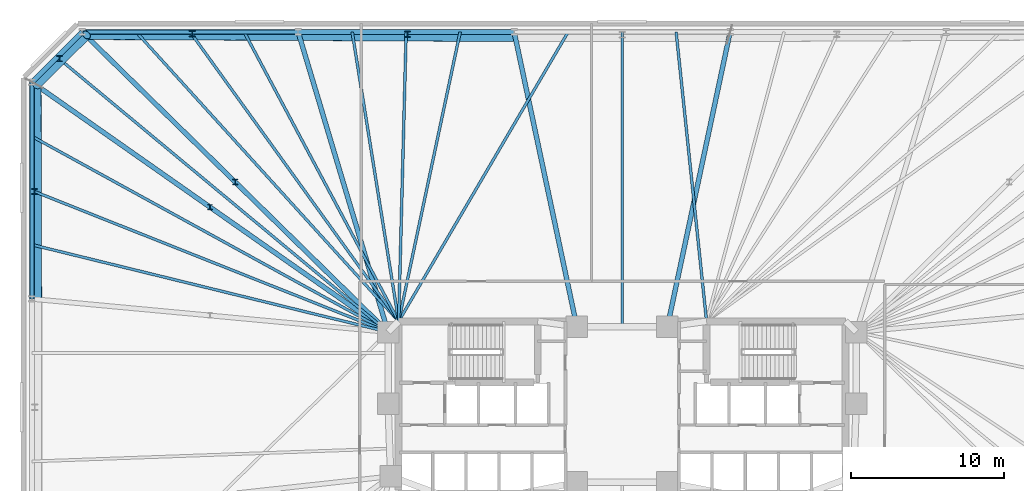
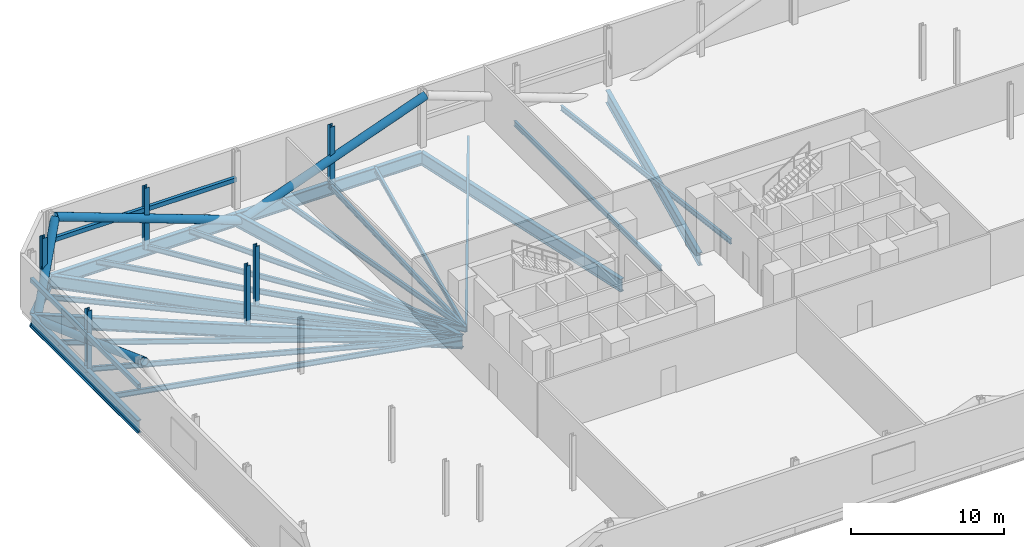
# One storey, part 8 of 17: 22 beams, 12 members.
"""IFC4 building model written with IfcOpenShell, lengths in metres."""

from ifc_helpers import new_model, si_unit, direction, frame, origin, origin_2d, place, context, subcontext, project, spatial, hollow_rectangle, hollow_circle, i_section, extrude, material, material_profile, profile_set, type_object, element, save


model = new_model("IFC4")

# Units and contexts
model_context = context("Model", 3, precision=1e-05, world=origin(), true_north=direction((0.0, 1.0)))
body_context = subcontext(model_context, "Body", "Model", "MODEL_VIEW")
ifc_project = project(units=[si_unit("LENGTHUNIT", "METRE"), si_unit("AREAUNIT", "SQUARE_METRE"), si_unit("VOLUMEUNIT", "CUBIC_METRE"), si_unit("PLANEANGLEUNIT", "RADIAN"), si_unit("MASSUNIT", "GRAM", prefix="KILO")], contexts=[model_context])

# Site, building, storey
site_placement = place(None, origin())
site = spatial("IfcSite", under=ifc_project, at=site_placement, CompositionType="ELEMENT")
building_placement = place(site_placement, origin())
building = spatial("IfcBuilding", under=site, at=building_placement, Name="Menara Jurai Vektor", CompositionType="ELEMENT")
storey_placement = place(building_placement, frame((0.0, 0.0, 9.60009765625)))
storey = spatial("IfcBuildingStorey", under=building, at=storey_placement, Name="L01", CompositionType="ELEMENT", Elevation=9.60009765625)

# Beams
ifc_material_1 = material(Name="Steel S460", Category="steel")
ifc_material_profile_1 = material_profile(ifc_material_1, i_section(OverallWidth=0.30908203125, OverallDepth=1.035888671875, WebThickness=0.030029296875, FlangeThickness=0.053955078125, FilletRadius=0.030029296875, at=origin_2d()), Name="UKB 1016x305x487")
ifc_profile_set_1 = profile_set([ifc_material_profile_1], Name="Steel S460")
beam_type_1 = type_object("IfcBeamType", Name="STR-BM-TR1016", PredefinedType="BEAM", material=ifc_profile_set_1)
beam_1_placement = place(storey_placement, frame((7.03564453125, 24.449951171875, -0.923095703125), z_axis=(-0.2081367579, -0.978099734184, 0.0), x_axis=(0.978099734184, -0.2081367579, 0.0)))
element("IfcBeam", 1, at=beam_1_placement, inside=storey, type_object=beam_type_1, Name="Outrigger Transfer Girder L01-N3", PredefinedType="BEAM", context=body_context, shape_type="SweptSolid", body=[
    extrude(i_section(OverallWidth=0.30908203125, OverallDepth=1.035888671875, WebThickness=0.030029296875, FlangeThickness=0.053955078125, FilletRadius=0.030029296875, at=origin_2d()), origin(), (0.0, 0.0, 1.0), 19.6298828125),
])
beam_2_placement = place(storey_placement, frame((-7.03564453125, 24.449951171875, -0.923095703125), z_axis=(-1.0, 0.0, 0.0), x_axis=(0.0, -1.0, 0.0)))
element("IfcBeam", 2, at=beam_2_placement, inside=storey, type_object=beam_type_1, Name="Belt Truss Bottom Chord L01-14", PredefinedType="BEAM", context=body_context, shape_type="SweptSolid", body=[
    extrude(i_section(OverallWidth=0.30908203125, OverallDepth=1.035888671875, WebThickness=0.030029296875, FlangeThickness=0.053955078125, FilletRadius=0.030029296875, at=origin_2d()), origin(), (0.0, 0.0, 1.0), 14.071044921875),
])
beam_3_placement = place(storey_placement, frame((-7.03564453125, 24.449951171875, -0.923095703125), z_axis=(0.2081367579, -0.978099734184, 0.0), x_axis=(0.978099734184, 0.2081367579, 0.0)))
element("IfcBeam", 3, at=beam_3_placement, inside=storey, type_object=beam_type_1, Name="Outrigger Transfer Girder L01-N4", PredefinedType="BEAM", context=body_context, shape_type="SweptSolid", body=[
    extrude(i_section(OverallWidth=0.30908203125, OverallDepth=1.035888671875, WebThickness=0.030029296875, FlangeThickness=0.053955078125, FilletRadius=0.030029296875, at=origin_2d()), origin(), (0.0, 0.0, 1.0), 19.6298828125),
])
beam_4_placement = place(storey_placement, frame((-21.106689453125, 24.449951171875, -0.923095703125), z_axis=(-1.0, 0.0, 0.0), x_axis=(0.0, -1.0, 0.0)))
element("IfcBeam", 4, at=beam_4_placement, inside=storey, type_object=beam_type_1, Name="Belt Truss Bottom Chord L01-15", PredefinedType="BEAM", context=body_context, shape_type="SweptSolid", body=[
    extrude(i_section(OverallWidth=0.30908203125, OverallDepth=1.035888671875, WebThickness=0.030029296875, FlangeThickness=0.053955078125, FilletRadius=0.030029296875, at=origin_2d()), origin(), (0.0, 0.0, 1.0), 14.071044921875),
])
beam_5_placement = place(storey_placement, frame((-21.106689453125, 24.449951171875, -0.923095703125), z_axis=(0.286973617166, -0.957938486047, 0.0), x_axis=(0.957938486047, 0.286973617166, 0.0)))
element("IfcBeam", 5, at=beam_5_placement, inside=storey, type_object=beam_type_1, Name="Outrigger Transfer Girder L01-N5", PredefinedType="BEAM", context=body_context, shape_type="SweptSolid", body=[
    extrude(i_section(OverallWidth=0.30908203125, OverallDepth=1.035888671875, WebThickness=0.030029296875, FlangeThickness=0.053955078125, FilletRadius=0.030029296875, at=origin_2d()), origin(), (0.0, 0.0, 1.0), 20.408447265625),
])
beam_6_placement = place(storey_placement, frame((-35.177734375, 24.449951171875, -0.923095703125), z_axis=(-0.707106781187, -0.707106781187, 0.0), x_axis=(0.707106781187, -0.707106781187, 0.0)))
element("IfcBeam", 6, at=beam_6_placement, inside=storey, type_object=beam_type_1, Name="Belt Truss Bottom Chord L01-16", PredefinedType="BEAM", context=body_context, shape_type="SweptSolid", body=[
    extrude(i_section(OverallWidth=0.30908203125, OverallDepth=1.035888671875, WebThickness=0.030029296875, FlangeThickness=0.053955078125, FilletRadius=0.030029296875, at=origin_2d()), origin(), (0.0, 0.0, 1.0), 4.627685546875),
])
beam_7_placement = place(storey_placement, frame((-35.177734375, 24.449951171875, -0.923095703125), z_axis=(0.713839032855, -0.700309813706, 0.0), x_axis=(0.700309813706, 0.713839032855, 0.0)))
element("IfcBeam", 7, at=beam_7_placement, inside=storey, type_object=beam_type_1, Name="Outrigger Transfer Girder L01-N6", PredefinedType="BEAM", context=body_context, shape_type="SweptSolid", body=[
    extrude(i_section(OverallWidth=0.30908203125, OverallDepth=1.035888671875, WebThickness=0.030029296875, FlangeThickness=0.053955078125, FilletRadius=0.030029296875, at=origin_2d()), origin(), (0.0, 0.0, 1.0), 27.916259765625),
])
beam_8_placement = place(storey_placement, frame((-38.449951171875, 21.177734375, -0.923095703125), z_axis=(0.0, -1.0, 0.0), x_axis=(1.0, 0.0, 0.0)))
element("IfcBeam", 8, at=beam_8_placement, inside=storey, type_object=beam_type_1, Name="Belt Truss Bottom Chord L01-17", PredefinedType="BEAM", context=body_context, shape_type="SweptSolid", body=[
    extrude(i_section(OverallWidth=0.30908203125, OverallDepth=1.035888671875, WebThickness=0.030029296875, FlangeThickness=0.053955078125, FilletRadius=0.030029296875, at=origin_2d()), origin(), (0.0, 0.0, 1.0), 14.118408203125),
])
beam_9_placement = place(storey_placement, frame((-38.449951171875, 21.177734375, -0.923095703125), z_axis=(0.818603732445, -0.574358711283, 0.0), x_axis=(0.574358711283, 0.818603732445, 0.0)))
element("IfcBeam", 9, at=beam_9_placement, inside=storey, type_object=beam_type_1, Name="Outrigger Transfer Girder L01-W1", PredefinedType="BEAM", context=body_context, shape_type="SweptSolid", body=[
    extrude(i_section(OverallWidth=0.30908203125, OverallDepth=1.035888671875, WebThickness=0.030029296875, FlangeThickness=0.053955078125, FilletRadius=0.030029296875, at=origin_2d()), origin(), (0.0, 0.0, 1.0), 28.3408203125),
])

# Members
ifc_material_profile_2 = material_profile(ifc_material_1, hollow_circle(Radius=0.304931640625, WallThickness=0.02490234375, at=origin_2d()), Name="CHS 610x25")
ifc_profile_set_2 = profile_set([ifc_material_profile_2], Name="Steel S460")
member_type_1 = type_object("IfcMemberType", Name="STR-BR-610", PredefinedType="BRACE", material=ifc_profile_set_2)
member_1_placement = place(storey_placement, frame((-20.884521484375, 24.192626953125, -0.923095703125), z_axis=(0.938268373414, -0.004665794997, 0.345876697405), x_axis=(0.004972710837, 0.999987635997, 0.0)))
element("IfcMember", 10, at=member_1_placement, inside=storey, type_object=member_type_1, Name="Belt Truss Web Diagonal L01-14", PredefinedType="BRACE", context=body_context, shape_type="SweptSolid", body=[
    extrude(hollow_circle(Radius=0.304931640625, WallThickness=0.02490234375, at=origin_2d()), origin(), (0.0, 0.0, 1.0), 14.860595703125),
])
member_2_placement = place(storey_placement, frame((-20.884521484375, 24.192626953125, -0.923095703125), z_axis=(-0.938838220166, 0.004252429136, 0.344332271509), x_axis=(-0.004529412441, -0.999989742159, 0.0)))
element("IfcMember", 11, at=member_2_placement, inside=storey, type_object=member_type_1, Name="Belt Truss Web Diagonal L01-15", PredefinedType="BRACE", context=body_context, shape_type="SweptSolid", body=[
    extrude(hollow_circle(Radius=0.304931640625, WallThickness=0.02490234375, at=origin_2d()), origin(), (0.0, 0.0, 1.0), 14.92724609375),
])
member_3_placement = place(storey_placement, frame((-38.152099609375, 21.013916015625, -0.923095703125), z_axis=(0.471980956409, 0.470351726033, 0.745656241579), x_axis=(-0.705883185694, 0.708328262993, 0.0)))
element("IfcMember", 12, at=member_3_placement, inside=storey, type_object=member_type_1, Name="Belt Truss Web Diagonal L01-16", PredefinedType="BRACE", context=body_context, shape_type="SweptSolid", body=[
    extrude(hollow_circle(Radius=0.304931640625, WallThickness=0.02490234375, at=origin_2d()), origin(), (0.0, 0.0, 1.0), 6.89306640625),
])
member_4_placement = place(storey_placement, frame((-38.152099609375, 21.013916015625, -0.923095703125), z_axis=(0.00245303796, -0.938859395143, 0.344292054449), x_axis=(0.999996586694, 0.002612776311, 0.0)))
element("IfcMember", 13, at=member_4_placement, inside=storey, type_object=member_type_1, Name="Belt Truss Web Diagonal L01-17", PredefinedType="BRACE", context=body_context, shape_type="SweptSolid", body=[
    extrude(hollow_circle(Radius=0.304931640625, WallThickness=0.02490234375, at=origin_2d()), origin(), (0.0, 0.0, 1.0), 14.928955078125),
])
ifc_material_profile_3 = material_profile(ifc_material_1, hollow_rectangle(XDim=0.25, YDim=0.35009765625, WallThickness=0.012451171875, at=origin_2d()), Name="RHS 350x250x12.5")
ifc_profile_set_3 = profile_set([ifc_material_profile_3], Name="Steel S460")
member_type_2 = type_object("IfcMemberType", Name="STR-CH-RHS350", PredefinedType="CHORD", material=ifc_profile_set_3)
member_5_placement = place(storey_placement, frame((-21.106689453125, 24.449951171875, 2.2998046875), z_axis=(-1.0, 0.0, 0.0), x_axis=(0.0, -1.0, 0.0)))
element("IfcMember", 14, at=member_5_placement, inside=storey, type_object=member_type_2, Name="Belt Truss Mid Chord L01-15", PredefinedType="CHORD", context=body_context, shape_type="SweptSolid", body=[
    extrude(hollow_rectangle(XDim=0.25, YDim=0.35009765625, WallThickness=0.012451171875, at=origin_2d()), origin(), (0.0, 0.0, 1.0), 14.071044921875),
])
member_6_placement = place(storey_placement, frame((-38.449951171875, 21.177734375, 2.2998046875), z_axis=(0.0, -1.0, 0.0), x_axis=(1.0, 0.0, 0.0)))
element("IfcMember", 15, at=member_6_placement, inside=storey, type_object=member_type_2, Name="Belt Truss Mid Chord L01-17", PredefinedType="CHORD", context=body_context, shape_type="SweptSolid", body=[
    extrude(hollow_rectangle(XDim=0.25, YDim=0.35009765625, WallThickness=0.012451171875, at=origin_2d()), origin(), (0.0, 0.0, 1.0), 14.118408203125),
])

# Beams
ifc_material_2 = material(Name="Steel S355", Category="steel")
ifc_material_profile_4 = material_profile(ifc_material_2, i_section(OverallWidth=0.178955078125, OverallDepth=0.408935546875, WebThickness=0.009033203125, FlangeThickness=0.013916015625, FilletRadius=0.010009765625, at=origin_2d()), Name="UKB 406x178x67")
ifc_profile_set_4 = profile_set([ifc_material_profile_4], Name="Steel S355")
beam_type_2 = type_object("IfcBeamType", Name="STR-JS-406", PredefinedType="JOIST", material=ifc_profile_set_4)
beam_10_placement = place(storey_placement, frame((3.517822265625, 24.449951171875, -0.609619140625), z_axis=(0.104579513969, -0.994516528399, 0.0), x_axis=(0.994516528399, 0.104579513969, 0.0)))
element("IfcBeam", 16, at=beam_10_placement, inside=storey, type_object=beam_type_2, Name="Radial Secondary Floor Joist L01-JS22", PredefinedType="JOIST", context=body_context, shape_type="SweptSolid", body=[
    extrude(i_section(OverallWidth=0.178955078125, OverallDepth=0.408935546875, WebThickness=0.009033203125, FlangeThickness=0.013916015625, FilletRadius=0.010009765625, at=origin_2d()), origin(), (0.0, 0.0, 1.0), 18.953857421875),
])
beam_11_placement = place(storey_placement, frame((0.0, 24.449951171875, -0.609619140625), z_axis=(0.0, -1.0, 0.0), x_axis=(1.0, 0.0, 0.0)))
element("IfcBeam", 17, at=beam_11_placement, inside=storey, type_object=beam_type_2, Name="Radial Secondary Floor Joist L01-JS23", PredefinedType="JOIST", context=body_context, shape_type="SweptSolid", body=[
    extrude(i_section(OverallWidth=0.178955078125, OverallDepth=0.408935546875, WebThickness=0.009033203125, FlangeThickness=0.013916015625, FilletRadius=0.010009765625, at=origin_2d()), origin(), (0.0, 0.0, 1.0), 19.199951171875),
])
beam_12_placement = place(storey_placement, frame((-3.517822265625, 24.449951171875, -0.609619140625), z_axis=(-0.505457909797, -0.862851262631, 0.0), x_axis=(0.862851262631, -0.505457909797, 0.0)))
element("IfcBeam", 18, at=beam_12_placement, inside=storey, type_object=beam_type_2, Name="Radial Secondary Floor Joist L01-JS24", PredefinedType="JOIST", context=body_context, shape_type="SweptSolid", body=[
    extrude(i_section(OverallWidth=0.178955078125, OverallDepth=0.408935546875, WebThickness=0.009033203125, FlangeThickness=0.013916015625, FilletRadius=0.010009765625, at=origin_2d()), origin(), (0.0, 0.0, 1.0), 21.845947265625),
])
beam_13_placement = place(storey_placement, frame((-10.55322265625, 24.449951171875, -0.609619140625), z_axis=(-0.207920423262, -0.978145744555, 0.0), x_axis=(0.978145744555, -0.207920423262, 0.0)))
element("IfcBeam", 19, at=beam_13_placement, inside=storey, type_object=beam_type_2, Name="Radial Secondary Floor Joist L01-JS25", PredefinedType="JOIST", context=body_context, shape_type="SweptSolid", body=[
    extrude(i_section(OverallWidth=0.178955078125, OverallDepth=0.408935546875, WebThickness=0.009033203125, FlangeThickness=0.013916015625, FilletRadius=0.010009765625, at=origin_2d()), origin(), (0.0, 0.0, 1.0), 19.27099609375),
])
beam_14_placement = place(storey_placement, frame((-14.071044921875, 24.449951171875, -0.609619140625), z_axis=(-0.02593384597, -0.999663661255, 0.0), x_axis=(0.999663661255, -0.02593384597, 0.0)))
element("IfcBeam", 20, at=beam_14_placement, inside=storey, type_object=beam_type_2, Name="Radial Secondary Floor Joist L01-JS26", PredefinedType="JOIST", context=body_context, shape_type="SweptSolid", body=[
    extrude(i_section(OverallWidth=0.178955078125, OverallDepth=0.408935546875, WebThickness=0.009033203125, FlangeThickness=0.013916015625, FilletRadius=0.010009765625, at=origin_2d()), origin(), (0.0, 0.0, 1.0), 18.856201171875),
])
beam_15_placement = place(storey_placement, frame((-17.5888671875, 24.449951171875, -0.609619140625), z_axis=(0.158645817656, -0.987335558227, 0.0), x_axis=(0.987335558227, 0.158645817656, 0.0)))
element("IfcBeam", 21, at=beam_15_placement, inside=storey, type_object=beam_type_2, Name="Radial Secondary Floor Joist L01-JS27", PredefinedType="JOIST", context=body_context, shape_type="SweptSolid", body=[
    extrude(i_section(OverallWidth=0.178955078125, OverallDepth=0.408935546875, WebThickness=0.009033203125, FlangeThickness=0.013916015625, FilletRadius=0.010009765625, at=origin_2d()), origin(), (0.0, 0.0, 1.0), 19.091552734375),
])
beam_16_placement = place(storey_placement, frame((-24.62451171875, 24.449951171875, -0.609619140625), z_axis=(0.470996174599, -0.882135252392, 0.0), x_axis=(0.882135252392, 0.470996174599, 0.0)))
element("IfcBeam", 22, at=beam_16_placement, inside=storey, type_object=beam_type_2, Name="Radial Secondary Floor Joist L01-JS28", PredefinedType="JOIST", context=body_context, shape_type="SweptSolid", body=[
    extrude(i_section(OverallWidth=0.178955078125, OverallDepth=0.408935546875, WebThickness=0.009033203125, FlangeThickness=0.013916015625, FilletRadius=0.010009765625, at=origin_2d()), origin(), (0.0, 0.0, 1.0), 21.368408203125),
])
beam_17_placement = place(storey_placement, frame((-28.142333984375, 24.449951171875, -0.609619140625), z_axis=(0.584598948369, -0.811322420229, 0.0), x_axis=(0.811322420229, 0.584598948369, 0.0)))
element("IfcBeam", 23, at=beam_17_placement, inside=storey, type_object=beam_type_2, Name="Radial Secondary Floor Joist L01-JS29", PredefinedType="JOIST", context=body_context, shape_type="SweptSolid", body=[
    extrude(i_section(OverallWidth=0.178955078125, OverallDepth=0.408935546875, WebThickness=0.009033203125, FlangeThickness=0.013916015625, FilletRadius=0.010009765625, at=origin_2d()), origin(), (0.0, 0.0, 1.0), 23.2333984375),
])
beam_18_placement = place(storey_placement, frame((-31.659912109375, 24.449951171875, -0.609619140625), z_axis=(0.671889844346, -0.740651089964, 0.0), x_axis=(0.740651089964, 0.671889844346, 0.0)))
element("IfcBeam", 24, at=beam_18_placement, inside=storey, type_object=beam_type_2, Name="Radial Secondary Floor Joist L01-JS30", PredefinedType="JOIST", context=body_context, shape_type="SweptSolid", body=[
    extrude(i_section(OverallWidth=0.178955078125, OverallDepth=0.408935546875, WebThickness=0.009033203125, FlangeThickness=0.013916015625, FilletRadius=0.010009765625, at=origin_2d()), origin(), (0.0, 0.0, 1.0), 25.450439453125),
])
beam_19_placement = place(storey_placement, frame((-36.81396484375, 22.81396484375, -0.609619140625), z_axis=(0.769201173096, -0.639006694259, 0.0), x_axis=(0.639006694259, 0.769201173096, 0.0)))
element("IfcBeam", 25, at=beam_19_placement, inside=storey, type_object=beam_type_2, Name="Radial Secondary Floor Joist L01-JS31", PredefinedType="JOIST", context=body_context, shape_type="SweptSolid", body=[
    extrude(i_section(OverallWidth=0.178955078125, OverallDepth=0.408935546875, WebThickness=0.009033203125, FlangeThickness=0.013916015625, FilletRadius=0.010009765625, at=origin_2d()), origin(), (0.0, 0.0, 1.0), 28.0341796875),
])
beam_20_placement = place(storey_placement, frame((-38.449951171875, 17.648193359375, -0.609619140625), z_axis=(0.87640219057, -0.481579900291, 0.0), x_axis=(0.481579900291, 0.87640219057, 0.0)))
element("IfcBeam", 26, at=beam_20_placement, inside=storey, type_object=beam_type_2, Name="Radial Secondary Floor Joist L01-JS32", PredefinedType="JOIST", context=body_context, shape_type="SweptSolid", body=[
    extrude(i_section(OverallWidth=0.178955078125, OverallDepth=0.408935546875, WebThickness=0.009033203125, FlangeThickness=0.013916015625, FilletRadius=0.010009765625, at=origin_2d()), origin(), (0.0, 0.0, 1.0), 26.471923828125),
])
beam_21_placement = place(storey_placement, frame((-38.449951171875, 14.118408203125, -0.609619140625), z_axis=(0.929323400723, -0.369266864027, 0.0), x_axis=(0.369266864027, 0.929323400723, 0.0)))
element("IfcBeam", 27, at=beam_21_placement, inside=storey, type_object=beam_type_2, Name="Radial Secondary Floor Joist L01-JS33", PredefinedType="JOIST", context=body_context, shape_type="SweptSolid", body=[
    extrude(i_section(OverallWidth=0.178955078125, OverallDepth=0.408935546875, WebThickness=0.009033203125, FlangeThickness=0.013916015625, FilletRadius=0.010009765625, at=origin_2d()), origin(), (0.0, 0.0, 1.0), 24.96435546875),
])
beam_22_placement = place(storey_placement, frame((-38.449951171875, 10.5888671875, -0.609619140625), z_axis=(0.971226234641, -0.238158772976, 0.0), x_axis=(0.238158772976, 0.971226234641, 0.0)))
element("IfcBeam", 28, at=beam_22_placement, inside=storey, type_object=beam_type_2, Name="Radial Secondary Floor Joist L01-JS34", PredefinedType="JOIST", context=body_context, shape_type="SweptSolid", body=[
    extrude(i_section(OverallWidth=0.178955078125, OverallDepth=0.408935546875, WebThickness=0.009033203125, FlangeThickness=0.013916015625, FilletRadius=0.010009765625, at=origin_2d()), origin(), (0.0, 0.0, 1.0), 23.88720703125),
])

# Members
ifc_material_profile_5 = material_profile(ifc_material_1, i_section(OverallWidth=0.31103515625, OverallDepth=0.326904296875, WebThickness=0.01611328125, FlangeThickness=0.02490234375, FilletRadius=0.014892578125, at=origin_2d()), Name="UKC 305x305x158")
ifc_profile_set_5 = profile_set([ifc_material_profile_5], Name="Steel S460")
member_type_3 = type_object("IfcMemberType", Name="STR-POST-305", PredefinedType="POST", material=ifc_profile_set_5)
for number, where, z_axis, x_axis, name in (
    (29, (-25.2138671875, 14.675048828125, -0.405029296875), (0.0, 0.0, 1.0), (1.0, 0.0, 0.0), "Girder Hanger L01-N6"),
    (30, (-26.85009765625, 13.038818359375, -0.405029296875), (0.0, 0.0, 1.0), (1.0, 0.0, 0.0), "Girder Hanger L01-W1"),
):
    element("IfcMember", number, at=place(storey_placement, frame(where, z_axis=z_axis, x_axis=x_axis)), inside=storey, type_object=member_type_3, Name=name, PredefinedType="POST", context=body_context, shape_type="SweptSolid", body=[
        extrude(i_section(OverallWidth=0.31103515625, OverallDepth=0.326904296875, WebThickness=0.01611328125, FlangeThickness=0.02490234375, FilletRadius=0.014892578125, at=origin_2d()), origin(), (0.0, 0.0, 1.0), 4.780029296875),
    ])
ifc_material_profile_6 = material_profile(ifc_material_1, i_section(OverallWidth=0.375, OverallDepth=0.375, WebThickness=0.01708984375, FlangeThickness=0.027099609375, FilletRadius=0.014892578125, at=origin_2d()), Name="UKC 356x368x202")
ifc_profile_set_6 = profile_set([ifc_material_profile_6], Name="Steel S460")
member_type_4 = type_object("IfcMemberType", Name="STR-POST-368", PredefinedType="POST", material=ifc_profile_set_6)
for number, where, z_axis, x_axis, name in (
    (31, (-13.981201171875, 24.2939453125, -0.755126953125), (0.0, 0.0, 1.0), (1.0, 0.0, 0.0), "Belt Truss Vertical Web Post L01-14"),
    (32, (-28.00634765625, 24.331787109375, -0.755126953125), (0.0, 0.0, 1.0), (1.0, 0.0, 0.0), "Belt Truss Vertical Web Post L01-15"),
    (33, (-36.660888671875, 22.718994140625, -0.755126953125), (0.0, 0.0, 1.0), (1.0, 0.0, 0.0), "Belt Truss Vertical Web Post L01-16"),
    (34, (-38.281005859375, 14.056396484375, -0.755126953125), (0.0, 0.0, 1.0), (1.0, 0.0, 0.0), "Belt Truss Vertical Web Post L01-17"),
):
    element("IfcMember", number, at=place(storey_placement, frame(where, z_axis=z_axis, x_axis=x_axis)), inside=storey, type_object=member_type_4, Name=name, PredefinedType="POST", context=body_context, shape_type="SweptSolid", body=[
        extrude(i_section(OverallWidth=0.375, OverallDepth=0.375, WebThickness=0.01708984375, FlangeThickness=0.027099609375, FilletRadius=0.014892578125, at=origin_2d()), origin(), (0.0, 0.0, 1.0), 4.929931640625),
    ])

save(model, "model.ifc")
